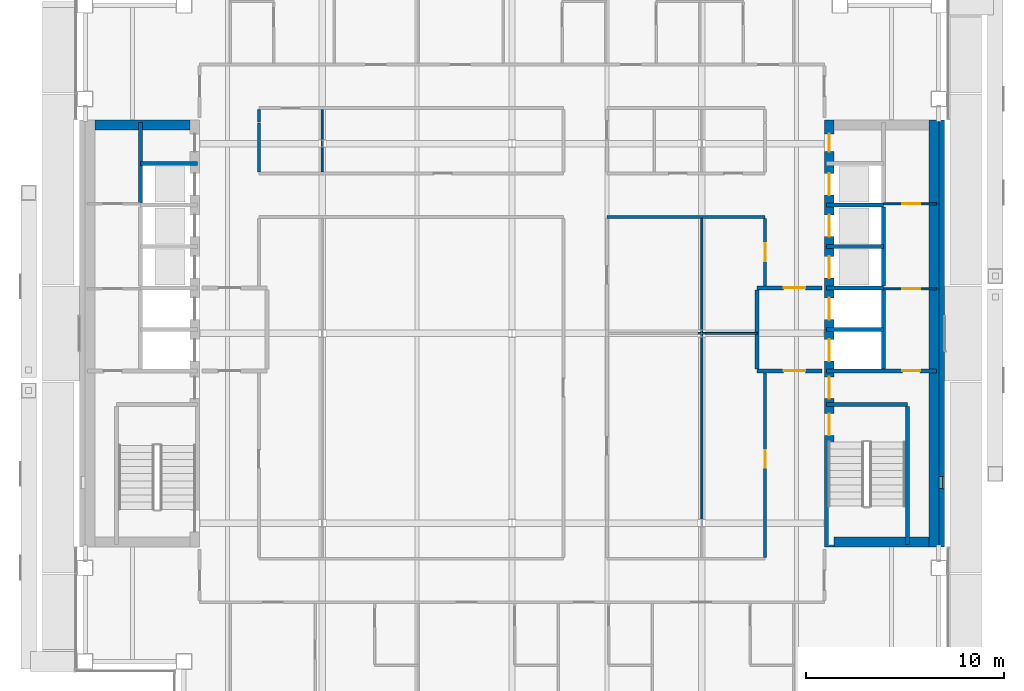
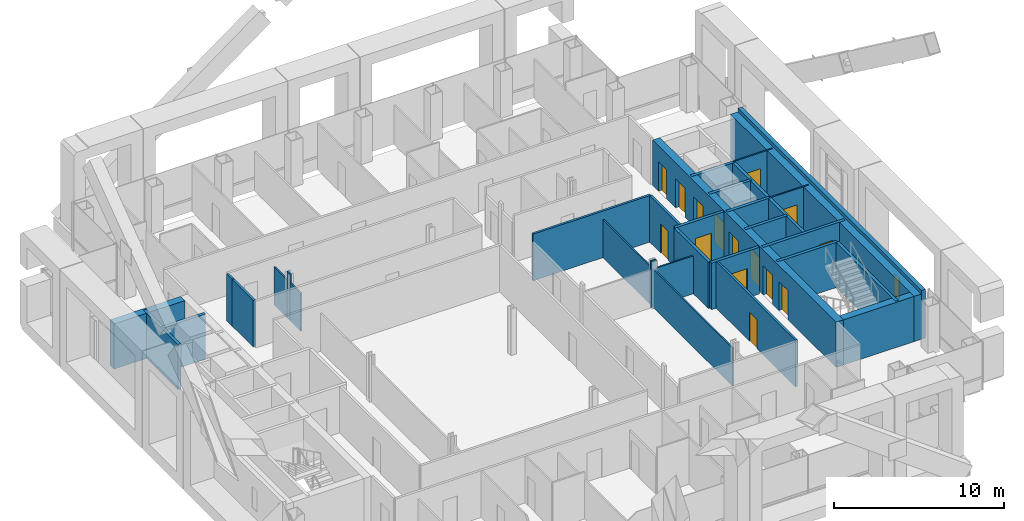
# One storey, part 14 of 22: 33 walls, 15 doors, 1 window, 16 openings.
"""IFC4 building model written with IfcOpenShell, lengths in metres."""

from ifc_helpers import new_model, si_unit, direction, frame, frame_2d, origin, place, context, subcontext, project, spatial, rectangle, extrude, material, layer, layer_set, type_object, element, fill, save


model = new_model("IFC4")

# Units and contexts
model_context = context("Model", 3, precision=1e-05, world=origin(), true_north=direction((0.0, 1.0)))
body_context = subcontext(model_context, "Body", "Model", "MODEL_VIEW")
ifc_project = project(units=[si_unit("LENGTHUNIT", "METRE"), si_unit("AREAUNIT", "SQUARE_METRE"), si_unit("VOLUMEUNIT", "CUBIC_METRE"), si_unit("PLANEANGLEUNIT", "RADIAN"), si_unit("MASSUNIT", "GRAM", prefix="KILO")], contexts=[model_context])

# Site, building, storey
site_placement = place(None, origin())
site = spatial("IfcSite", under=ifc_project, at=site_placement, CompositionType="ELEMENT")
building_placement = place(site_placement, origin())
building = spatial("IfcBuilding", under=site, at=building_placement, Name="Cobrizo Arcos Hotel Tower", CompositionType="ELEMENT")
storey_placement = place(building_placement, frame((0.0, 0.0, 155.0)))
storey = spatial("IfcBuildingStorey", under=building, at=storey_placement, Name="L39", CompositionType="ELEMENT", Elevation=155.0)

# Walls
ifc_material_1 = material(Name="Gypsum board partition")
ifc_layer_1 = layer(ifc_material_1, 0.14990234375)
ifc_layer_set_1 = layer_set([ifc_layer_1], Name="Corridor wall EI 60 150")
wall_type_1 = type_object("IfcWallType", Name="Corridor wall EI 60 150", PredefinedType="PARTITIONING", material=ifc_layer_set_1)
wall_1_placement = place(storey_placement, frame((4.800048828125, 5.89990234375, 0.0), z_axis=(0.0, 0.0, 1.0), x_axis=(1.0, 0.0, 0.0)))
element("IfcWall", 1, at=wall_1_placement, inside=storey, type_object=wall_type_1, Name="Partition 030", PredefinedType="PARTITIONING", context=body_context, shape_type="SweptSolid", body=[
    extrude(rectangle(XDim=8.0, YDim=0.14990234375, at=frame_2d((4.0, 0.0))), origin(), (0.0, 0.0, 1.0), 3.35009765625),
])
wall_2_placement = place(storey_placement, frame((-12.800048828125, 8.175048828125, 0.0), z_axis=(0.0, 0.0, 1.0), x_axis=(0.0, 1.0, 0.0)))
element("IfcWall", 2, at=wall_2_placement, inside=storey, type_object=wall_type_1, Name="Partition 058", PredefinedType="PARTITIONING", context=body_context, shape_type="SweptSolid", body=[
    extrude(rectangle(XDim=2.474853515625, YDim=0.14990234375, at=frame_2d((1.2373046875, 0.0))), origin(), (0.0, 0.0, 1.0), 3.35009765625),
])
wall_3_placement = place(storey_placement, frame((-12.800048828125, 10.699951171875, 0.0), z_axis=(0.0, 0.0, 1.0), x_axis=(0.0, 1.0, 0.0)))
element("IfcWall", 3, at=wall_3_placement, inside=storey, type_object=wall_type_1, Name="Partition 059", PredefinedType="PARTITIONING", context=body_context, shape_type="SweptSolid", body=[
    extrude(rectangle(XDim=0.625, YDim=0.14990234375, at=frame_2d((0.3125, 0.0))), origin(), (0.0, 0.0, 1.0), 3.35009765625),
])

# Wall, opening, door
wall_4_placement = place(storey_placement, frame((12.800048828125, -11.324951171875, 0.0), z_axis=(0.0, 0.0, 1.0), x_axis=(0.0, 1.0, 0.0)))
wall_4 = element("IfcWall", 4, at=wall_4_placement, inside=storey, type_object=wall_type_1, Name="Partition 106", PredefinedType="PARTITIONING", context=body_context, shape_type="SweptSolid", body=[
    extrude(rectangle(XDim=9.324951171875, YDim=0.14990234375, at=frame_2d((4.66259765625, 0.0))), origin(), (0.0, 0.0, 1.0), 3.35009765625),
])
opening_1_placement = place(wall_4_placement, frame((4.52490234375, 0.0, 0.0)))
opening_1 = element("IfcOpeningElement", 5, at=opening_1_placement, cuts=wall_4, Name="Opening RD-15", PredefinedType="OPENING", context=body_context, shape_type="SweptSolid", body=[
    extrude(rectangle(XDim=0.89990234375, YDim=2.10009765625, at=frame_2d((0.449951171875, 1.050048828125))), frame((0.0, 0.0869140625, 0.0), z_axis=(0.0, -1.0, 0.0), x_axis=(1.0, 0.0, 0.0)), (0.0, 0.0, 1.0), 0.173828125),
])
ifc_material_2 = material(Name="Timber door leaf", Category="wood")
door_type_1 = type_object("IfcDoorType", Name="Room door FD30 900x2100", OperationType="SINGLE_SWING_LEFT", PredefinedType="DOOR", material=ifc_material_2)
door_1_placement = place(opening_1_placement, origin())
door_1 = element("IfcDoor", 6, at=door_1_placement, inside=storey, type_object=door_type_1, Name="Door RD-15", OperationType="SINGLE_SWING_LEFT", OverallHeight=2.10009765625, OverallWidth=0.89990234375, PredefinedType="DOOR", context=body_context, shape_type="SweptSolid", body=[
    extrude(rectangle(XDim=0.89990234375, YDim=2.10009765625, at=frame_2d((0.449951171875, 1.050048828125))), frame((0.0, 0.02490234375, 0.0), z_axis=(0.0, -1.0, 0.0), x_axis=(1.0, 0.0, 0.0)), (0.0, 0.0, 1.0), 0.050048828125),
])
fill(opening_1, door_1)

wall_5_placement = place(storey_placement, frame((12.800048828125, 2.39990234375, 0.0), z_axis=(0.0, 0.0, 1.0), x_axis=(0.0, 1.0, 0.0)))
wall_5 = element("IfcWall", 7, at=wall_5_placement, inside=storey, type_object=wall_type_1, Name="Partition 107", PredefinedType="PARTITIONING", context=body_context, shape_type="SweptSolid", body=[
    extrude(rectangle(XDim=3.425048828125, YDim=0.14990234375, at=frame_2d((1.71240234375, 0.0))), origin(), (0.0, 0.0, 1.0), 3.35009765625),
])
opening_2_placement = place(wall_5_placement, frame((1.25, 0.0, 0.0)))
opening_2 = element("IfcOpeningElement", 8, at=opening_2_placement, cuts=wall_5, Name="Opening RD-13", PredefinedType="OPENING", context=body_context, shape_type="SweptSolid", body=[
    extrude(rectangle(XDim=0.89990234375, YDim=2.10009765625, at=frame_2d((0.449951171875, 1.050048828125))), frame((0.0, 0.0869140625, 0.0), z_axis=(0.0, -1.0, 0.0), x_axis=(1.0, 0.0, 0.0)), (0.0, 0.0, 1.0), 0.173828125),
])
door_2_placement = place(opening_2_placement, origin())
door_2 = element("IfcDoor", 9, at=door_2_placement, inside=storey, type_object=door_type_1, Name="Door RD-13", OperationType="SINGLE_SWING_RIGHT", OverallHeight=2.10009765625, OverallWidth=0.89990234375, PredefinedType="DOOR", context=body_context, shape_type="SweptSolid", body=[
    extrude(rectangle(XDim=0.89990234375, YDim=2.10009765625, at=frame_2d((0.449951171875, 1.050048828125))), frame((0.0, 0.02490234375, 0.0), z_axis=(0.0, -1.0, 0.0), x_axis=(1.0, 0.0, 0.0)), (0.0, 0.0, 1.0), 0.050048828125),
])
fill(opening_2, door_2)

# Wall, opening, window
ifc_material_3 = material(Name="Aluminium composite panel pale metal", Category="aluminium")
ifc_layer_2 = layer(ifc_material_3, 0.27490234375)
ifc_layer_set_2 = layer_set([ifc_layer_2], Name="EW-1 insulated panel wall 275")
wall_type_2 = type_object("IfcWallType", Name="EW-1 insulated panel wall 275", PredefinedType="SOLIDWALL", material=ifc_layer_set_2)
wall_6_placement = place(storey_placement, frame((21.737548828125, -10.800048828125, 0.0), z_axis=(0.0, 0.0, 1.0), x_axis=(0.0, 1.0, 0.0)))
wall_6 = element("IfcWall", 10, at=wall_6_placement, inside=storey, type_object=wall_type_2, Name="Core face wall L39 E", PredefinedType="SOLIDWALL", context=body_context, shape_type="SweptSolid", body=[
    extrude(rectangle(XDim=21.60009765625, YDim=0.27490234375, at=frame_2d((10.800048828125, 0.0))), origin(), (0.0, 0.0, 1.0), 3.5),
])
opening_3_placement = place(wall_6_placement, frame((2.949951171875, 0.0, 1.0)))
opening_3 = element("IfcOpeningElement", 11, at=opening_3_placement, cuts=wall_6, Name="Opening W-85", PredefinedType="OPENING", context=body_context, shape_type="SweptSolid", body=[
    extrude(rectangle(XDim=0.60009765625, YDim=1.5, at=frame_2d((0.300048828125, 0.75))), frame((0.0, 0.1494140625, 0.0), z_axis=(0.0, -1.0, 0.0), x_axis=(1.0, 0.0, 0.0)), (0.0, 0.0, 1.0), 0.298828125),
])
ifc_material_4 = material(Name="Aluminium 6063-T6 and clear laminated glass", Category="aluminium")
window_type = type_object("IfcWindowType", Name="W-C1 core stair slot window 600x1500", PartitioningType="SINGLE_PANEL", PredefinedType="WINDOW", material=ifc_material_4)
window_placement = place(opening_3_placement, origin())
window = element("IfcWindow", 12, at=window_placement, inside=storey, type_object=window_type, Name="Core face wall L39 E window W-85", OverallHeight=1.5, OverallWidth=0.60009765625, PartitioningType="SINGLE_PANEL", PredefinedType="WINDOW", context=body_context, shape_type="SweptSolid", body=[
    extrude(rectangle(XDim=0.60009765625, YDim=1.5, at=frame_2d((0.300048828125, 0.75))), frame((0.0, -0.04736328125, 0.0), z_axis=(0.0, -1.0, 0.0), x_axis=(1.0, 0.0, 0.0)), (0.0, 0.0, 1.0), 0.06005859375),
])
fill(opening_3, window)

# Walls
ifc_layer_3 = layer(ifc_material_1, 0.10009765625)
ifc_layer_set_3 = layer_set([ifc_layer_3], Name="Partition EI 30 100")
wall_type_3 = type_object("IfcWallType", Name="Partition EI 30 100", PredefinedType="PARTITIONING", material=ifc_layer_set_3)
wall_7_placement = place(storey_placement, frame((9.4130859375, 0.0, 0.0), z_axis=(0.0, 0.0, 1.0), x_axis=(1.0, 0.0, 0.0)))
element("IfcWall", 13, at=wall_7_placement, inside=storey, type_object=wall_type_3, Name="Partition 017", PredefinedType="PARTITIONING", context=body_context, shape_type="SweptSolid", body=[
    extrude(rectangle(XDim=0.3740234375, YDim=0.10009765625, at=frame_2d((0.18701171875, 0.0))), origin(), (0.0, 0.0, 1.0), 3.35009765625),
])
wall_8_placement = place(storey_placement, frame((9.787109375, 0.0, 0.0), z_axis=(0.0, 0.0, 1.0), x_axis=(1.0, 0.0, 0.0)))
element("IfcWall", 14, at=wall_8_placement, inside=storey, type_object=wall_type_3, Name="Partition 018", PredefinedType="PARTITIONING", context=body_context, shape_type="SweptSolid", body=[
    extrude(rectangle(XDim=2.61279296875, YDim=0.10009765625, at=frame_2d((1.306396484375, 0.0))), origin(), (0.0, 0.0, 1.0), 2.72802734375),
])

# Wall, opening, door
wall_9_placement = place(storey_placement, frame((18.800048828125, 2.25, 0.0), z_axis=(0.0, 0.0, 1.0), x_axis=(1.0, 0.0, 0.0)))
wall_9 = element("IfcWall", 15, at=wall_9_placement, inside=storey, type_object=wall_type_3, Name="Partition 022", PredefinedType="PARTITIONING", context=body_context, shape_type="SweptSolid", body=[
    extrude(rectangle(XDim=2.679931640625, YDim=0.10009765625, at=frame_2d((1.33984375, 0.0))), origin(), (0.0, 0.0, 1.0), 3.25),
])
opening_4_placement = place(wall_9_placement, frame((0.949951171875, 0.0, 0.0)))
opening_4 = element("IfcOpeningElement", 16, at=opening_4_placement, cuts=wall_9, Name="Opening RD-06", PredefinedType="OPENING", context=body_context, shape_type="SweptSolid", body=[
    extrude(rectangle(XDim=0.89990234375, YDim=2.10009765625, at=frame_2d((0.449951171875, 1.050048828125))), frame((0.0, 0.06201171875, 0.0), z_axis=(0.0, -1.0, 0.0), x_axis=(1.0, 0.0, 0.0)), (0.0, 0.0, 1.0), 0.1240234375),
])
door_3_placement = place(opening_4_placement, origin())
door_3 = element("IfcDoor", 17, at=door_3_placement, inside=storey, type_object=door_type_1, Name="Door RD-06", OperationType="SINGLE_SWING_LEFT", OverallHeight=2.10009765625, OverallWidth=0.89990234375, PredefinedType="DOOR", context=body_context, shape_type="SweptSolid", body=[
    extrude(rectangle(XDim=0.89990234375, YDim=2.10009765625, at=frame_2d((0.449951171875, 1.050048828125))), frame((0.0, 0.02490234375, 0.0), z_axis=(0.0, -1.0, 0.0), x_axis=(1.0, 0.0, 0.0)), (0.0, 0.0, 1.0), 0.050048828125),
])
fill(opening_4, door_3)

wall_10_placement = place(storey_placement, frame((18.800048828125, 6.550048828125, 0.0), z_axis=(0.0, 0.0, 1.0), x_axis=(1.0, 0.0, 0.0)))
wall_10 = element("IfcWall", 18, at=wall_10_placement, inside=storey, type_object=wall_type_3, Name="Partition 034", PredefinedType="PARTITIONING", context=body_context, shape_type="SweptSolid", body=[
    extrude(rectangle(XDim=2.679931640625, YDim=0.10009765625, at=frame_2d((1.33984375, 0.0))), origin(), (0.0, 0.0, 1.0), 3.25),
])
opening_5_placement = place(wall_10_placement, frame((0.949951171875, 0.0, 0.0)))
opening_5 = element("IfcOpeningElement", 19, at=opening_5_placement, cuts=wall_10, Name="Opening RD-07", PredefinedType="OPENING", context=body_context, shape_type="SweptSolid", body=[
    extrude(rectangle(XDim=0.89990234375, YDim=2.10009765625, at=frame_2d((0.449951171875, 1.050048828125))), frame((0.0, 0.06201171875, 0.0), z_axis=(0.0, -1.0, 0.0), x_axis=(1.0, 0.0, 0.0)), (0.0, 0.0, 1.0), 0.1240234375),
])
door_4_placement = place(opening_5_placement, origin())
door_4 = element("IfcDoor", 20, at=door_4_placement, inside=storey, type_object=door_type_1, Name="Door RD-07", OperationType="SINGLE_SWING_LEFT", OverallHeight=2.10009765625, OverallWidth=0.89990234375, PredefinedType="DOOR", context=body_context, shape_type="SweptSolid", body=[
    extrude(rectangle(XDim=0.89990234375, YDim=2.10009765625, at=frame_2d((0.449951171875, 1.050048828125))), frame((0.0, 0.02490234375, 0.0), z_axis=(0.0, -1.0, 0.0), x_axis=(1.0, 0.0, 0.0)), (0.0, 0.0, 1.0), 0.050048828125),
])
fill(opening_5, door_4)

# Walls
wall_11_placement = place(storey_placement, frame((-9.60009765625, 8.175048828125, 0.0), z_axis=(0.0, 0.0, 1.0), x_axis=(0.0, 1.0, 0.0)))
element("IfcWall", 21, at=wall_11_placement, inside=storey, type_object=wall_type_3, Name="Partition 068", PredefinedType="PARTITIONING", context=body_context, shape_type="SweptSolid", body=[
    extrude(rectangle(XDim=1.238037109375, YDim=0.10009765625, at=frame_2d((0.619140625, 0.0))), origin(), (0.0, 0.0, 1.0), 2.72802734375),
])
wall_12_placement = place(storey_placement, frame((-9.60009765625, 9.4130859375, 0.0), z_axis=(0.0, 0.0, 1.0), x_axis=(0.0, 1.0, 0.0)))
element("IfcWall", 22, at=wall_12_placement, inside=storey, type_object=wall_type_3, Name="Partition 069", PredefinedType="PARTITIONING", context=body_context, shape_type="SweptSolid", body=[
    extrude(rectangle(XDim=0.3740234375, YDim=0.10009765625, at=frame_2d((0.18701171875, 0.0))), origin(), (0.0, 0.0, 1.0), 3.35009765625),
])
wall_13_placement = place(storey_placement, frame((-9.60009765625, 9.787109375, 0.0), z_axis=(0.0, 0.0, 1.0), x_axis=(0.0, 1.0, 0.0)))
element("IfcWall", 23, at=wall_13_placement, inside=storey, type_object=wall_type_3, Name="Partition 070", PredefinedType="PARTITIONING", context=body_context, shape_type="SweptSolid", body=[
    extrude(rectangle(XDim=1.537841796875, YDim=0.10009765625, at=frame_2d((0.76904296875, 0.0))), origin(), (0.0, 0.0, 1.0), 2.72802734375),
])
wall_14_placement = place(storey_placement, frame((9.60009765625, -9.4130859375, 0.0), z_axis=(0.0, 0.0, 1.0), x_axis=(0.0, 1.0, 0.0)))
element("IfcWall", 24, at=wall_14_placement, inside=storey, type_object=wall_type_3, Name="Partition 098", PredefinedType="PARTITIONING", context=body_context, shape_type="SweptSolid", body=[
    extrude(rectangle(XDim=9.363037109375, YDim=0.10009765625, at=frame_2d((4.681640625, 0.0))), origin(), (0.0, 0.0, 1.0), 2.72802734375),
])
wall_15_placement = place(storey_placement, frame((9.60009765625, 0.050048828125, 0.0), z_axis=(0.0, 0.0, 1.0), x_axis=(0.0, 1.0, 0.0)))
element("IfcWall", 25, at=wall_15_placement, inside=storey, type_object=wall_type_3, Name="Partition 099", PredefinedType="PARTITIONING", context=body_context, shape_type="SweptSolid", body=[
    extrude(rectangle(XDim=5.77490234375, YDim=0.10009765625, at=frame_2d((2.887451171875, 0.0))), origin(), (0.0, 0.0, 1.0), 2.72802734375),
])

# Wall, openings, doors
ifc_material_5 = material(Name="Concrete f'c 50 MPa", Category="concrete")
ifc_layer_4 = layer(ifc_material_5, 0.5)
ifc_layer_set_4 = layer_set([ifc_layer_4], Name="RC core wall 500 f'c 50")
wall_type_4 = type_object("IfcWallType", Name="RC core wall 500 f'c 50", PredefinedType="SHEAR", material=ifc_layer_set_4)
wall_16_placement = place(storey_placement, frame((16.050048828125, -10.800048828125, 0.0), z_axis=(0.0, 0.0, 1.0), x_axis=(0.0, 1.0, 0.0)))
wall_16 = element("IfcWall", 26, at=wall_16_placement, inside=storey, type_object=wall_type_4, Name="Core wall CW3, east core, inner face, L39", PredefinedType="SHEAR", context=body_context, shape_type="SweptSolid", body=[
    extrude(rectangle(XDim=21.60009765625, YDim=0.5, at=frame_2d((10.800048828125, 0.0))), origin(), (0.0, 0.0, 1.0), 3.25),
])
opening_6_placement = place(wall_16_placement, frame((9.39990234375, 0.0, 0.0)))
opening_6 = element("IfcOpeningElement", 27, at=opening_6_placement, cuts=wall_16, Name="Opening LD-06", PredefinedType="OPENING", context=body_context, shape_type="SweptSolid", body=[
    extrude(rectangle(XDim=1.10009765625, YDim=2.10009765625, at=frame_2d((0.550048828125, 1.050048828125))), frame((0.0, 0.261962890625, 0.0), z_axis=(0.0, -1.0, 0.0), x_axis=(1.0, 0.0, 0.0)), (0.0, 0.0, 1.0), 0.52392578125),
])
opening_7_placement = place(wall_16_placement, frame((11.5, 0.0, 0.0)))
opening_7 = element("IfcOpeningElement", 28, at=opening_7_placement, cuts=wall_16, Name="Opening LD-07", PredefinedType="OPENING", context=body_context, shape_type="SweptSolid", body=[
    extrude(rectangle(XDim=1.10009765625, YDim=2.10009765625, at=frame_2d((0.550048828125, 1.050048828125))), frame((0.0, 0.261962890625, 0.0), z_axis=(0.0, -1.0, 0.0), x_axis=(1.0, 0.0, 0.0)), (0.0, 0.0, 1.0), 0.52392578125),
])
opening_8_placement = place(wall_16_placement, frame((13.60009765625, 0.0, 0.0)))
opening_8 = element("IfcOpeningElement", 29, at=opening_8_placement, cuts=wall_16, Name="Opening LD-08", PredefinedType="OPENING", context=body_context, shape_type="SweptSolid", body=[
    extrude(rectangle(XDim=1.10009765625, YDim=2.10009765625, at=frame_2d((0.550048828125, 1.050048828125))), frame((0.0, 0.261962890625, 0.0), z_axis=(0.0, -1.0, 0.0), x_axis=(1.0, 0.0, 0.0)), (0.0, 0.0, 1.0), 0.52392578125),
])
opening_9_placement = place(wall_16_placement, frame((15.699951171875, 0.0, 0.0)))
opening_9 = element("IfcOpeningElement", 30, at=opening_9_placement, cuts=wall_16, Name="Opening LD-09", PredefinedType="OPENING", context=body_context, shape_type="SweptSolid", body=[
    extrude(rectangle(XDim=1.10009765625, YDim=2.10009765625, at=frame_2d((0.550048828125, 1.050048828125))), frame((0.0, 0.261962890625, 0.0), z_axis=(0.0, -1.0, 0.0), x_axis=(1.0, 0.0, 0.0)), (0.0, 0.0, 1.0), 0.52392578125),
])
opening_10_placement = place(wall_16_placement, frame((17.800048828125, 0.0, 0.0)))
opening_10 = element("IfcOpeningElement", 31, at=opening_10_placement, cuts=wall_16, Name="Opening LD-10", PredefinedType="OPENING", context=body_context, shape_type="SweptSolid", body=[
    extrude(rectangle(XDim=1.10009765625, YDim=2.10009765625, at=frame_2d((0.550048828125, 1.050048828125))), frame((0.0, 0.261962890625, 0.0), z_axis=(0.0, -1.0, 0.0), x_axis=(1.0, 0.0, 0.0)), (0.0, 0.0, 1.0), 0.52392578125),
])
opening_11_placement = place(wall_16_placement, frame((5.64208984375, 0.0, 0.0)))
opening_11 = element("IfcOpeningElement", 32, at=opening_11_placement, cuts=wall_16, Name="Opening SD-02", PredefinedType="OPENING", context=body_context, shape_type="SweptSolid", body=[
    extrude(rectangle(XDim=1.10009765625, YDim=2.10009765625, at=frame_2d((0.550048828125, 1.050048828125))), frame((0.0, 0.261962890625, 0.0), z_axis=(0.0, -1.0, 0.0), x_axis=(1.0, 0.0, 0.0)), (0.0, 0.0, 1.0), 0.52392578125),
])
opening_12_placement = place(wall_16_placement, frame((7.5, 0.0, 0.0)))
opening_12 = element("IfcOpeningElement", 33, at=opening_12_placement, cuts=wall_16, Name="Opening FD-04", PredefinedType="OPENING", context=body_context, shape_type="SweptSolid", body=[
    extrude(rectangle(XDim=1.10009765625, YDim=2.10009765625, at=frame_2d((0.550048828125, 1.050048828125))), frame((0.0, 0.261962890625, 0.0), z_axis=(0.0, -1.0, 0.0), x_axis=(1.0, 0.0, 0.0)), (0.0, 0.0, 1.0), 0.52392578125),
])
opening_13_placement = place(wall_16_placement, frame((20.0, 0.0, 0.0)))
opening_13 = element("IfcOpeningElement", 34, at=opening_13_placement, cuts=wall_16, Name="Opening RD-04", PredefinedType="OPENING", context=body_context, shape_type="SweptSolid", body=[
    extrude(rectangle(XDim=0.89990234375, YDim=2.10009765625, at=frame_2d((0.449951171875, 1.050048828125))), frame((0.0, 0.261962890625, 0.0), z_axis=(0.0, -1.0, 0.0), x_axis=(1.0, 0.0, 0.0)), (0.0, 0.0, 1.0), 0.52392578125),
])
ifc_material_6 = material(Name="Steel door leaf", Category="steel")
door_type_2 = type_object("IfcDoorType", Name="Fire door FD60 1100x2100", OperationType="SINGLE_SWING_LEFT", PredefinedType="DOOR", material=ifc_material_6)
door_5_placement = place(opening_12_placement, origin())
door_5 = element("IfcDoor", 35, at=door_5_placement, inside=storey, type_object=door_type_2, Name="Door FD-04", OperationType="SINGLE_SWING_RIGHT", OverallHeight=2.10009765625, OverallWidth=1.10009765625, PredefinedType="DOOR", context=body_context, shape_type="SweptSolid", body=[
    extrude(rectangle(XDim=1.10009765625, YDim=2.10009765625, at=frame_2d((0.550048828125, 1.050048828125))), frame((0.0, 0.02490234375, 0.0), z_axis=(0.0, -1.0, 0.0), x_axis=(1.0, 0.0, 0.0)), (0.0, 0.0, 1.0), 0.050048828125),
])
fill(opening_12, door_5)
door_type_3 = type_object("IfcDoorType", Name="Lift landing door 1100x2100", OperationType="SLIDING_TO_LEFT", PredefinedType="DOOR", material=ifc_material_6)
door_6_placement = place(opening_6_placement, origin())
door_6 = element("IfcDoor", 36, at=door_6_placement, inside=storey, type_object=door_type_3, Name="Lift landing door LD-06", OperationType="SLIDING_TO_LEFT", OverallHeight=2.10009765625, OverallWidth=1.10009765625, PredefinedType="DOOR", context=body_context, shape_type="SweptSolid", body=[
    extrude(rectangle(XDim=1.10009765625, YDim=2.10009765625, at=frame_2d((0.550048828125, 1.050048828125))), frame((0.0, 0.02490234375, 0.0), z_axis=(0.0, -1.0, 0.0), x_axis=(1.0, 0.0, 0.0)), (0.0, 0.0, 1.0), 0.050048828125),
])
fill(opening_6, door_6)
door_7_placement = place(opening_7_placement, origin())
door_7 = element("IfcDoor", 37, at=door_7_placement, inside=storey, type_object=door_type_3, Name="Lift landing door LD-07", OperationType="SLIDING_TO_LEFT", OverallHeight=2.10009765625, OverallWidth=1.10009765625, PredefinedType="DOOR", context=body_context, shape_type="SweptSolid", body=[
    extrude(rectangle(XDim=1.10009765625, YDim=2.10009765625, at=frame_2d((0.550048828125, 1.050048828125))), frame((0.0, 0.02490234375, 0.0), z_axis=(0.0, -1.0, 0.0), x_axis=(1.0, 0.0, 0.0)), (0.0, 0.0, 1.0), 0.050048828125),
])
fill(opening_7, door_7)
door_8_placement = place(opening_8_placement, origin())
door_8 = element("IfcDoor", 38, at=door_8_placement, inside=storey, type_object=door_type_3, Name="Lift landing door LD-08", OperationType="SLIDING_TO_LEFT", OverallHeight=2.10009765625, OverallWidth=1.10009765625, PredefinedType="DOOR", context=body_context, shape_type="SweptSolid", body=[
    extrude(rectangle(XDim=1.10009765625, YDim=2.10009765625, at=frame_2d((0.550048828125, 1.050048828125))), frame((0.0, 0.02490234375, 0.0), z_axis=(0.0, -1.0, 0.0), x_axis=(1.0, 0.0, 0.0)), (0.0, 0.0, 1.0), 0.050048828125),
])
fill(opening_8, door_8)
door_9_placement = place(opening_9_placement, origin())
door_9 = element("IfcDoor", 39, at=door_9_placement, inside=storey, type_object=door_type_3, Name="Lift landing door LD-09", OperationType="SLIDING_TO_LEFT", OverallHeight=2.10009765625, OverallWidth=1.10009765625, PredefinedType="DOOR", context=body_context, shape_type="SweptSolid", body=[
    extrude(rectangle(XDim=1.10009765625, YDim=2.10009765625, at=frame_2d((0.550048828125, 1.050048828125))), frame((0.0, 0.02490234375, 0.0), z_axis=(0.0, -1.0, 0.0), x_axis=(1.0, 0.0, 0.0)), (0.0, 0.0, 1.0), 0.050048828125),
])
fill(opening_9, door_9)
door_10_placement = place(opening_10_placement, origin())
door_10 = element("IfcDoor", 40, at=door_10_placement, inside=storey, type_object=door_type_3, Name="Lift landing door LD-10", OperationType="SLIDING_TO_LEFT", OverallHeight=2.10009765625, OverallWidth=1.10009765625, PredefinedType="DOOR", context=body_context, shape_type="SweptSolid", body=[
    extrude(rectangle(XDim=1.10009765625, YDim=2.10009765625, at=frame_2d((0.550048828125, 1.050048828125))), frame((0.0, 0.02490234375, 0.0), z_axis=(0.0, -1.0, 0.0), x_axis=(1.0, 0.0, 0.0)), (0.0, 0.0, 1.0), 0.050048828125),
])
fill(opening_10, door_10)
door_11_placement = place(opening_13_placement, origin())
door_11 = element("IfcDoor", 41, at=door_11_placement, inside=storey, type_object=door_type_1, Name="Door RD-04", OperationType="SINGLE_SWING_RIGHT", OverallHeight=2.10009765625, OverallWidth=0.89990234375, PredefinedType="DOOR", context=body_context, shape_type="SweptSolid", body=[
    extrude(rectangle(XDim=0.89990234375, YDim=2.10009765625, at=frame_2d((0.449951171875, 1.050048828125))), frame((0.0, 0.02490234375, 0.0), z_axis=(0.0, -1.0, 0.0), x_axis=(1.0, 0.0, 0.0)), (0.0, 0.0, 1.0), 0.050048828125),
])
fill(opening_13, door_11)
door_type_4 = type_object("IfcDoorType", Name="Stair door FD60S 1100x2100", OperationType="SINGLE_SWING_LEFT", PredefinedType="DOOR", material=ifc_material_6)
door_12_placement = place(opening_11_placement, origin())
door_12 = element("IfcDoor", 42, at=door_12_placement, inside=storey, type_object=door_type_4, Name="Door SD-02", OperationType="SINGLE_SWING_LEFT", OverallHeight=2.10009765625, OverallWidth=1.10009765625, PredefinedType="DOOR", context=body_context, shape_type="SweptSolid", body=[
    extrude(rectangle(XDim=1.10009765625, YDim=2.10009765625, at=frame_2d((0.550048828125, 1.050048828125))), frame((0.0, 0.02490234375, 0.0), z_axis=(0.0, -1.0, 0.0), x_axis=(1.0, 0.0, 0.0)), (0.0, 0.0, 1.0), 0.050048828125),
])
fill(opening_11, door_12)

# Walls
wall_17_placement = place(storey_placement, frame((21.35009765625, -10.800048828125, 0.0), z_axis=(0.0, 0.0, 1.0), x_axis=(0.0, 1.0, 0.0)))
element("IfcWall", 43, at=wall_17_placement, inside=storey, type_object=wall_type_4, Name="Core wall CW3, east core, outer face, L39", PredefinedType="SHEAR", context=body_context, shape_type="SweptSolid", body=[
    extrude(rectangle(XDim=21.60009765625, YDim=0.5, at=frame_2d((10.800048828125, 0.0))), origin(), (0.0, 0.0, 1.0), 3.25),
])
for number, where, z_axis, x_axis, name in (
    (44, (16.300048828125, -10.550048828125, 0.0), (0.0, 0.0, 1.0), (1.0, 0.0, 0.0), "Core wall CW3, east core, south end, L39"),
    (45, (-21.10009765625, 10.550048828125, 0.0), (0.0, 0.0, 1.0), (1.0, 0.0, 0.0), "Core wall CW3, west core, north end, L39"),
):
    element("IfcWall", number, at=place(storey_placement, frame(where, z_axis=z_axis, x_axis=x_axis)), inside=storey, type_object=wall_type_4, Name=name, PredefinedType="SHEAR", context=body_context, shape_type="SweptSolid", body=[
        extrude(rectangle(XDim=4.800048828125, YDim=0.5, at=frame_2d((2.39990234375, 0.0))), origin(), (0.0, 0.0, 1.0), 3.25),
    ])

# Wall, opening, door
ifc_layer_5 = layer(ifc_material_1, 0.199951171875)
ifc_layer_set_5 = layer_set([ifc_layer_5], Name="Shaft wall EI 120 200")
wall_type_5 = type_object("IfcWallType", Name="Shaft wall EI 120 200", PredefinedType="PARTITIONING", material=ifc_layer_set_5)
wall_18_placement = place(storey_placement, frame((12.39990234375, -1.89990234375, 0.0), z_axis=(0.0, 0.0, 1.0), x_axis=(1.0, 0.0, 0.0)))
wall_18 = element("IfcWall", 46, at=wall_18_placement, inside=storey, type_object=wall_type_5, Name="Partition 014", PredefinedType="PARTITIONING", context=body_context, shape_type="SweptSolid", body=[
    extrude(rectangle(XDim=3.280029296875, YDim=0.199951171875, at=frame_2d((1.64013671875, 0.0))), origin(), (0.0, 0.0, 1.0), 3.35009765625),
])
opening_14_placement = place(wall_18_placement, frame((1.340087890625, 0.0, 0.0)))
opening_14 = element("IfcOpeningElement", 47, at=opening_14_placement, cuts=wall_18, Name="Opening FD-06", PredefinedType="OPENING", context=body_context, shape_type="SweptSolid", body=[
    extrude(rectangle(XDim=1.10009765625, YDim=2.10009765625, at=frame_2d((0.550048828125, 1.050048828125))), frame((0.0, 0.112060546875, 0.0), z_axis=(0.0, -1.0, 0.0), x_axis=(1.0, 0.0, 0.0)), (0.0, 0.0, 1.0), 0.223876953125),
])
door_13_placement = place(opening_14_placement, origin())
door_13 = element("IfcDoor", 48, at=door_13_placement, inside=storey, type_object=door_type_2, Name="Door FD-06", OperationType="SINGLE_SWING_RIGHT", OverallHeight=2.10009765625, OverallWidth=1.10009765625, PredefinedType="DOOR", context=body_context, shape_type="SweptSolid", body=[
    extrude(rectangle(XDim=1.10009765625, YDim=2.10009765625, at=frame_2d((0.550048828125, 1.050048828125))), frame((0.0, 0.02490234375, 0.0), z_axis=(0.0, -1.0, 0.0), x_axis=(1.0, 0.0, 0.0)), (0.0, 0.0, 1.0), 0.050048828125),
])
fill(opening_14, door_13)

wall_19_placement = place(storey_placement, frame((15.919921875, -1.89990234375, 0.0), z_axis=(0.0, 0.0, 1.0), x_axis=(1.0, 0.0, 0.0)))
wall_19 = element("IfcWall", 49, at=wall_19_placement, inside=storey, type_object=wall_type_5, Name="Partition 015", PredefinedType="PARTITIONING", context=body_context, shape_type="SweptSolid", body=[
    extrude(rectangle(XDim=5.56005859375, YDim=0.199951171875, at=frame_2d((2.780029296875, 0.0))), origin(), (0.0, 0.0, 1.0), 3.25),
])
opening_15_placement = place(wall_19_placement, frame((3.830078125, 0.0, 0.0)))
opening_15 = element("IfcOpeningElement", 50, at=opening_15_placement, cuts=wall_19, Name="Opening RD-05", PredefinedType="OPENING", context=body_context, shape_type="SweptSolid", body=[
    extrude(rectangle(XDim=0.89990234375, YDim=2.10009765625, at=frame_2d((0.449951171875, 1.050048828125))), frame((0.0, 0.112060546875, 0.0), z_axis=(0.0, -1.0, 0.0), x_axis=(1.0, 0.0, 0.0)), (0.0, 0.0, 1.0), 0.223876953125),
])
door_14_placement = place(opening_15_placement, origin())
door_14 = element("IfcDoor", 51, at=door_14_placement, inside=storey, type_object=door_type_1, Name="Door RD-05", OperationType="SINGLE_SWING_RIGHT", OverallHeight=2.10009765625, OverallWidth=0.89990234375, PredefinedType="DOOR", context=body_context, shape_type="SweptSolid", body=[
    extrude(rectangle(XDim=0.89990234375, YDim=2.10009765625, at=frame_2d((0.449951171875, 1.050048828125))), frame((0.0, 0.02490234375, 0.0), z_axis=(0.0, -1.0, 0.0), x_axis=(1.0, 0.0, 0.0)), (0.0, 0.0, 1.0), 0.050048828125),
])
fill(opening_15, door_14)

# Wall
wall_20_placement = place(storey_placement, frame((15.919921875, 0.199951171875, 0.0), z_axis=(0.0, 0.0, 1.0), x_axis=(1.0, 0.0, 0.0)))
element("IfcWall", 52, at=wall_20_placement, inside=storey, type_object=wall_type_5, Name="Partition 020", PredefinedType="PARTITIONING", context=body_context, shape_type="SweptSolid", body=[
    extrude(rectangle(XDim=2.880126953125, YDim=0.199951171875, at=frame_2d((1.43994140625, 0.0))), origin(), (0.0, 0.0, 1.0), 3.25),
])

# Wall, opening, door
wall_21_placement = place(storey_placement, frame((12.39990234375, 2.300048828125, 0.0), z_axis=(0.0, 0.0, 1.0), x_axis=(1.0, 0.0, 0.0)))
wall_21 = element("IfcWall", 53, at=wall_21_placement, inside=storey, type_object=wall_type_5, Name="Partition 025", PredefinedType="PARTITIONING", context=body_context, shape_type="SweptSolid", body=[
    extrude(rectangle(XDim=3.280029296875, YDim=0.199951171875, at=frame_2d((1.64013671875, 0.0))), origin(), (0.0, 0.0, 1.0), 3.35009765625),
])
opening_16_placement = place(wall_21_placement, frame((1.340087890625, 0.0, 0.0)))
opening_16 = element("IfcOpeningElement", 54, at=opening_16_placement, cuts=wall_21, Name="Opening FD-05", PredefinedType="OPENING", context=body_context, shape_type="SweptSolid", body=[
    extrude(rectangle(XDim=1.10009765625, YDim=2.10009765625, at=frame_2d((0.550048828125, 1.050048828125))), frame((0.0, 0.112060546875, 0.0), z_axis=(0.0, -1.0, 0.0), x_axis=(1.0, 0.0, 0.0)), (0.0, 0.0, 1.0), 0.223876953125),
])
door_15_placement = place(opening_16_placement, origin())
door_15 = element("IfcDoor", 55, at=door_15_placement, inside=storey, type_object=door_type_2, Name="Door FD-05", OperationType="SINGLE_SWING_LEFT", OverallHeight=2.10009765625, OverallWidth=1.10009765625, PredefinedType="DOOR", context=body_context, shape_type="SweptSolid", body=[
    extrude(rectangle(XDim=1.10009765625, YDim=2.10009765625, at=frame_2d((0.550048828125, 1.050048828125))), frame((0.0, 0.02490234375, 0.0), z_axis=(0.0, -1.0, 0.0), x_axis=(1.0, 0.0, 0.0)), (0.0, 0.0, 1.0), 0.050048828125),
])
fill(opening_16, door_15)

# Walls
for number, where, z_axis, x_axis, name in (
    (56, (15.919921875, 2.300048828125, 0.0), (0.0, 0.0, 1.0), (1.0, 0.0, 0.0), "Partition 026"),
    (57, (15.919921875, 4.39990234375, 0.0), (0.0, 0.0, 1.0), (1.0, 0.0, 0.0), "Partition 028"),
    (58, (15.919921875, 6.5, 0.0), (0.0, 0.0, 1.0), (1.0, 0.0, 0.0), "Partition 032"),
    (59, (-18.800048828125, 8.60009765625, 0.0), (0.0, 0.0, 1.0), (1.0, 0.0, 0.0), "Partition 037"),
):
    element("IfcWall", number, at=place(storey_placement, frame(where, z_axis=z_axis, x_axis=x_axis)), inside=storey, type_object=wall_type_5, Name=name, PredefinedType="PARTITIONING", context=body_context, shape_type="SweptSolid", body=[
        extrude(rectangle(XDim=2.880126953125, YDim=0.199951171875, at=frame_2d((1.43994140625, 0.0))), origin(), (0.0, 0.0, 1.0), 3.25),
    ])
wall_22_placement = place(storey_placement, frame((-18.800048828125, 6.60009765625, 0.0), z_axis=(0.0, 0.0, 1.0), x_axis=(0.0, 1.0, 0.0)))
element("IfcWall", 60, at=wall_22_placement, inside=storey, type_object=wall_type_5, Name="Partition 051", PredefinedType="PARTITIONING", context=body_context, shape_type="SweptSolid", body=[
    extrude(rectangle(XDim=4.079833984375, YDim=0.199951171875, at=frame_2d((2.0400390625, 0.0))), origin(), (0.0, 0.0, 1.0), 3.25),
])
wall_23_placement = place(storey_placement, frame((12.39990234375, -1.800048828125, 0.0), z_axis=(0.0, 0.0, 1.0), x_axis=(0.0, 1.0, 0.0)))
element("IfcWall", 61, at=wall_23_placement, inside=storey, type_object=wall_type_5, Name="Partition 105", PredefinedType="PARTITIONING", context=body_context, shape_type="SweptSolid", body=[
    extrude(rectangle(XDim=4.0, YDim=0.199951171875, at=frame_2d((2.0, 0.0))), origin(), (0.0, 0.0, 1.0), 3.35009765625),
])
for number, where, z_axis, x_axis, name in (
    (62, (18.800048828125, -1.800048828125, 0.0), (0.0, 0.0, 1.0), (0.0, 1.0, 0.0), "Partition 114"),
    (63, (18.800048828125, 2.39990234375, 0.0), (0.0, 0.0, 1.0), (0.0, 1.0, 0.0), "Partition 115"),
):
    element("IfcWall", number, at=place(storey_placement, frame(where, z_axis=z_axis, x_axis=x_axis)), inside=storey, type_object=wall_type_5, Name=name, PredefinedType="PARTITIONING", context=body_context, shape_type="SweptSolid", body=[
        extrude(rectangle(XDim=4.0, YDim=0.199951171875, at=frame_2d((2.0, 0.0))), origin(), (0.0, 0.0, 1.0), 3.25),
    ])
ifc_material_7 = material(Name="Concrete f'c 40 MPa", Category="concrete")
ifc_layer_6 = layer(ifc_material_7, 0.199951171875)
ifc_layer_set_6 = layer_set([ifc_layer_6], Name="Stair shaft wall 200")
wall_type_6 = type_object("IfcWallType", Name="Stair shaft wall 200", PredefinedType="SHEAR", material=ifc_layer_set_6)
wall_24_placement = place(storey_placement, frame((15.919921875, -3.60009765625, 0.0), z_axis=(0.0, 0.0, 1.0), x_axis=(1.0, 0.0, 0.0)))
element("IfcWall", 64, at=wall_24_placement, inside=storey, type_object=wall_type_6, Name="Stair shaft wall E", PredefinedType="SHEAR", context=body_context, shape_type="SweptSolid", body=[
    extrude(rectangle(XDim=4.080078125, YDim=0.199951171875, at=frame_2d((2.0400390625, 0.0))), origin(), (0.0, 0.0, 1.0), 3.25),
])
wall_25_placement = place(storey_placement, frame((20.0, -10.679931640625, 0.0), z_axis=(0.0, 0.0, 1.0), x_axis=(0.0, 1.0, 0.0)))
element("IfcWall", 65, at=wall_25_placement, inside=storey, type_object=wall_type_6, Name="Stair shaft wall E", PredefinedType="SHEAR", context=body_context, shape_type="SweptSolid", body=[
    extrude(rectangle(XDim=6.97998046875, YDim=0.199951171875, at=frame_2d((3.489990234375, 0.0))), origin(), (0.0, 0.0, 1.0), 3.25),
])

save(model, "model.ifc")
